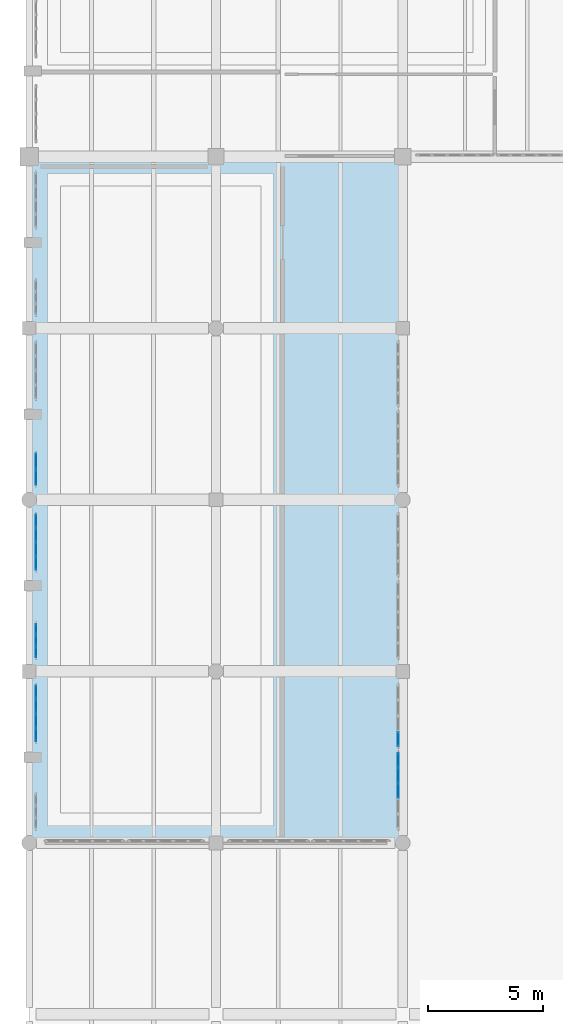
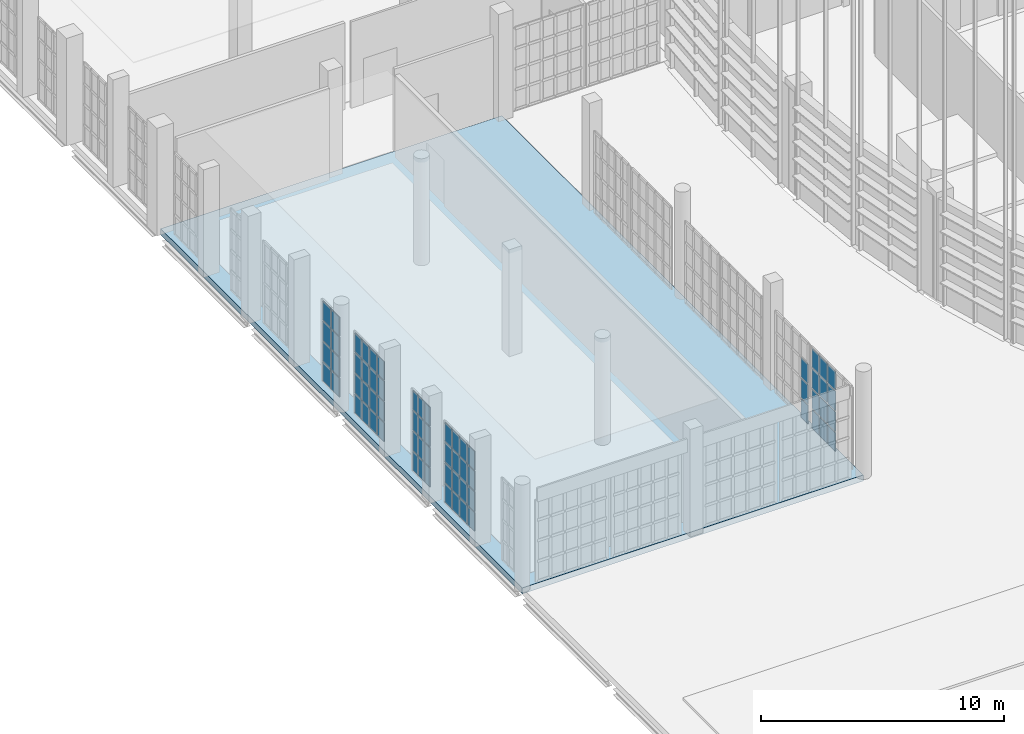
# One storey, part 322 of 372: 67 plates, 1 slab, 6 elements without a shape of their own.
"""IFC4 building model written with IfcOpenShell, lengths in metres."""

from ifc_helpers import new_model, si_unit, direction, frame, origin, origin_2d, place, context, subcontext, project, spatial, polyline, rectangle, outline, extrude, material, layer, layer_set, type_object, element, aggregate, save


model = new_model("IFC4")

# Units and contexts
model_context = context("Model", 3, precision=1e-05, world=origin(), true_north=direction((0.0, 1.0)))
body_context = subcontext(model_context, "Body", "Model", "MODEL_VIEW")
ifc_project = project(units=[si_unit("LENGTHUNIT", "METRE"), si_unit("AREAUNIT", "SQUARE_METRE"), si_unit("VOLUMEUNIT", "CUBIC_METRE"), si_unit("PLANEANGLEUNIT", "RADIAN"), si_unit("MASSUNIT", "GRAM", prefix="KILO")], contexts=[model_context])

# Site, building, storey
site_placement = place(None, origin())
site = spatial("IfcSite", under=ifc_project, at=site_placement, CompositionType="ELEMENT")
building_placement = place(site_placement, origin())
building = spatial("IfcBuilding", under=site, at=building_placement, Name="Kaelora Sail Theatre", CompositionType="ELEMENT")
storey_placement = place(building_placement, origin())
storey = spatial("IfcBuildingStorey", under=building, at=storey_placement, Name="L00", CompositionType="ELEMENT", Elevation=0.0)

# Curtain wall, plates
ifc_material_1 = material(Name="Anodised aluminium and solar-control low-E IGU", Category="aluminium")
curtain_wall_type_1 = type_object("IfcCurtainWallType", Name="ARC-CW-CW-FOY1", PredefinedType="NOTDEFINED", material=ifc_material_1)
curtain_wall_1_placement = place(storey_placement, origin())
curtain_wall_1 = element("IfcCurtainWall", 1, at=curtain_wall_1_placement, inside=storey, type_object=curtain_wall_type_1, Name="Glazed Colonnade/Courtyard Curtain Wall COLW-W-L00-03", PredefinedType="NOTDEFINED")
ifc_material_2 = material(Name="Solar-control laminated low-E glass", Category="glass")
ifc_layer_1 = layer(ifc_material_2, 0.031982421875)
ifc_layer_set_1 = layer_set([ifc_layer_1], Name="Solar-control laminated low-E glass")
plate_type = type_object("IfcPlateType", Name="ARC-CW-PNL", PredefinedType="CURTAIN_PANEL", material=ifc_layer_set_1)
plate_1_placement = place(storey_placement, frame((1.7900390625, 35.945556640625, 0.070068359375), z_axis=(0.0, 0.0, 1.0), x_axis=(0.0, 1.0, 0.0)))
plate_1 = element("IfcPlate", 2, at=plate_1_placement, type_object=plate_type, Name="CW-FOY1 panel 1.1", PredefinedType="CURTAIN_PANEL", context=body_context, shape_type="SweptSolid", body=[
    extrude(rectangle(XDim=0.541259765625, YDim=0.031982421875, at=origin_2d()), origin(), (0.0, 0.0, 1.0), 0.92919921875),
])
plate_2_placement = place(storey_placement, frame((1.7900390625, 35.945556640625, 1.069091796875), z_axis=(0.0, 0.0, 1.0), x_axis=(0.0, 1.0, 0.0)))
plate_2 = element("IfcPlate", 3, at=plate_2_placement, type_object=plate_type, Name="CW-FOY1 panel 1.2", PredefinedType="CURTAIN_PANEL", context=body_context, shape_type="SweptSolid", body=[
    extrude(rectangle(XDim=0.541259765625, YDim=0.031982421875, at=origin_2d()), origin(), (0.0, 0.0, 1.0), 0.96435546875),
])
plate_3_placement = place(storey_placement, frame((1.7900390625, 35.945556640625, 2.103515625), z_axis=(0.0, 0.0, 1.0), x_axis=(0.0, 1.0, 0.0)))
plate_3 = element("IfcPlate", 4, at=plate_3_placement, type_object=plate_type, Name="CW-FOY1 panel 1.3", PredefinedType="CURTAIN_PANEL", context=body_context, shape_type="SweptSolid", body=[
    extrude(rectangle(XDim=0.541259765625, YDim=0.031982421875, at=origin_2d()), origin(), (0.0, 0.0, 1.0), 0.964111328125),
])
plate_4_placement = place(storey_placement, frame((1.7900390625, 35.945556640625, 3.1376953125), z_axis=(0.0, 0.0, 1.0), x_axis=(0.0, 1.0, 0.0)))
plate_4 = element("IfcPlate", 5, at=plate_4_placement, type_object=plate_type, Name="CW-FOY1 panel 1.4", PredefinedType="CURTAIN_PANEL", context=body_context, shape_type="SweptSolid", body=[
    extrude(rectangle(XDim=0.541259765625, YDim=0.031982421875, at=origin_2d()), origin(), (0.0, 0.0, 1.0), 0.92919921875),
])
plate_5_placement = place(storey_placement, frame((1.7900390625, 36.561767578125, 0.070068359375), z_axis=(0.0, 0.0, 1.0), x_axis=(0.0, 1.0, 0.0)))
plate_5 = element("IfcPlate", 6, at=plate_5_placement, type_object=plate_type, Name="CW-FOY1 panel 2.1", PredefinedType="CURTAIN_PANEL", context=body_context, shape_type="SweptSolid", body=[
    extrude(rectangle(XDim=0.5712890625, YDim=0.031982421875, at=origin_2d()), origin(), (0.0, 0.0, 1.0), 0.92919921875),
])
plate_6_placement = place(storey_placement, frame((1.7900390625, 36.561767578125, 1.069091796875), z_axis=(0.0, 0.0, 1.0), x_axis=(0.0, 1.0, 0.0)))
plate_6 = element("IfcPlate", 7, at=plate_6_placement, type_object=plate_type, Name="CW-FOY1 panel 2.2", PredefinedType="CURTAIN_PANEL", context=body_context, shape_type="SweptSolid", body=[
    extrude(rectangle(XDim=0.5712890625, YDim=0.031982421875, at=origin_2d()), origin(), (0.0, 0.0, 1.0), 0.96435546875),
])
plate_7_placement = place(storey_placement, frame((1.7900390625, 36.561767578125, 2.103515625), z_axis=(0.0, 0.0, 1.0), x_axis=(0.0, 1.0, 0.0)))
plate_7 = element("IfcPlate", 8, at=plate_7_placement, type_object=plate_type, Name="CW-FOY1 panel 2.3", PredefinedType="CURTAIN_PANEL", context=body_context, shape_type="SweptSolid", body=[
    extrude(rectangle(XDim=0.5712890625, YDim=0.031982421875, at=origin_2d()), origin(), (0.0, 0.0, 1.0), 0.964111328125),
])
plate_8_placement = place(storey_placement, frame((1.7900390625, 36.561767578125, 3.1376953125), z_axis=(0.0, 0.0, 1.0), x_axis=(0.0, 1.0, 0.0)))
plate_8 = element("IfcPlate", 9, at=plate_8_placement, type_object=plate_type, Name="CW-FOY1 panel 2.4", PredefinedType="CURTAIN_PANEL", context=body_context, shape_type="SweptSolid", body=[
    extrude(rectangle(XDim=0.5712890625, YDim=0.031982421875, at=origin_2d()), origin(), (0.0, 0.0, 1.0), 0.92919921875),
])
plate_9_placement = place(storey_placement, frame((1.7900390625, 37.193115234375, 0.070068359375), z_axis=(0.0, 0.0, 1.0), x_axis=(0.0, 1.0, 0.0)))
plate_9 = element("IfcPlate", 10, at=plate_9_placement, type_object=plate_type, Name="CW-FOY1 panel 3.1", PredefinedType="CURTAIN_PANEL", context=body_context, shape_type="SweptSolid", body=[
    extrude(rectangle(XDim=0.5712890625, YDim=0.031982421875, at=origin_2d()), origin(), (0.0, 0.0, 1.0), 0.92919921875),
])
plate_10_placement = place(storey_placement, frame((1.7900390625, 37.193115234375, 1.069091796875), z_axis=(0.0, 0.0, 1.0), x_axis=(0.0, 1.0, 0.0)))
plate_10 = element("IfcPlate", 11, at=plate_10_placement, type_object=plate_type, Name="CW-FOY1 panel 3.2", PredefinedType="CURTAIN_PANEL", context=body_context, shape_type="SweptSolid", body=[
    extrude(rectangle(XDim=0.5712890625, YDim=0.031982421875, at=origin_2d()), origin(), (0.0, 0.0, 1.0), 0.96435546875),
])
plate_11_placement = place(storey_placement, frame((1.7900390625, 37.193115234375, 2.103515625), z_axis=(0.0, 0.0, 1.0), x_axis=(0.0, 1.0, 0.0)))
plate_11 = element("IfcPlate", 12, at=plate_11_placement, type_object=plate_type, Name="CW-FOY1 panel 3.3", PredefinedType="CURTAIN_PANEL", context=body_context, shape_type="SweptSolid", body=[
    extrude(rectangle(XDim=0.5712890625, YDim=0.031982421875, at=origin_2d()), origin(), (0.0, 0.0, 1.0), 0.964111328125),
])
plate_12_placement = place(storey_placement, frame((1.7900390625, 37.193115234375, 3.1376953125), z_axis=(0.0, 0.0, 1.0), x_axis=(0.0, 1.0, 0.0)))
plate_12 = element("IfcPlate", 13, at=plate_12_placement, type_object=plate_type, Name="CW-FOY1 panel 3.4", PredefinedType="CURTAIN_PANEL", context=body_context, shape_type="SweptSolid", body=[
    extrude(rectangle(XDim=0.5712890625, YDim=0.031982421875, at=origin_2d()), origin(), (0.0, 0.0, 1.0), 0.92919921875),
])
plate_13_placement = place(storey_placement, frame((1.7900390625, 37.809326171875, 0.070068359375), z_axis=(0.0, 0.0, 1.0), x_axis=(0.0, 1.0, 0.0)))
plate_13 = element("IfcPlate", 14, at=plate_13_placement, type_object=plate_type, Name="CW-FOY1 panel 4.1", PredefinedType="CURTAIN_PANEL", context=body_context, shape_type="SweptSolid", body=[
    extrude(rectangle(XDim=0.541259765625, YDim=0.031982421875, at=origin_2d()), origin(), (0.0, 0.0, 1.0), 0.92919921875),
])
plate_14_placement = place(storey_placement, frame((1.7900390625, 37.809326171875, 1.069091796875), z_axis=(0.0, 0.0, 1.0), x_axis=(0.0, 1.0, 0.0)))
plate_14 = element("IfcPlate", 15, at=plate_14_placement, type_object=plate_type, Name="CW-FOY1 panel 4.2", PredefinedType="CURTAIN_PANEL", context=body_context, shape_type="SweptSolid", body=[
    extrude(rectangle(XDim=0.541259765625, YDim=0.031982421875, at=origin_2d()), origin(), (0.0, 0.0, 1.0), 0.96435546875),
])
plate_15_placement = place(storey_placement, frame((1.7900390625, 37.809326171875, 2.103515625), z_axis=(0.0, 0.0, 1.0), x_axis=(0.0, 1.0, 0.0)))
plate_15 = element("IfcPlate", 16, at=plate_15_placement, type_object=plate_type, Name="CW-FOY1 panel 4.3", PredefinedType="CURTAIN_PANEL", context=body_context, shape_type="SweptSolid", body=[
    extrude(rectangle(XDim=0.541259765625, YDim=0.031982421875, at=origin_2d()), origin(), (0.0, 0.0, 1.0), 0.964111328125),
])
plate_16_placement = place(storey_placement, frame((1.7900390625, 37.809326171875, 3.1376953125), z_axis=(0.0, 0.0, 1.0), x_axis=(0.0, 1.0, 0.0)))
plate_16 = element("IfcPlate", 17, at=plate_16_placement, type_object=plate_type, Name="CW-FOY1 panel 4.4", PredefinedType="CURTAIN_PANEL", context=body_context, shape_type="SweptSolid", body=[
    extrude(rectangle(XDim=0.541259765625, YDim=0.031982421875, at=origin_2d()), origin(), (0.0, 0.0, 1.0), 0.92919921875),
])
aggregate(curtain_wall_1, [plate_1, plate_2, plate_3, plate_4, plate_5, plate_6, plate_7, plate_8, plate_9, plate_10, plate_11, plate_12, plate_13, plate_14, plate_15, plate_16])

curtain_wall_2_placement = place(storey_placement, origin())
curtain_wall_2 = element("IfcCurtainWall", 18, at=curtain_wall_2_placement, inside=storey, type_object=curtain_wall_type_1, Name="Glazed Colonnade/Courtyard Curtain Wall COLW-W-L00-04", PredefinedType="NOTDEFINED")
plate_17_placement = place(storey_placement, frame((1.7900390625, 39.53173828125, 0.070068359375), z_axis=(0.0, 0.0, 1.0), x_axis=(0.0, 1.0, 0.0)))
plate_17 = element("IfcPlate", 19, at=plate_17_placement, type_object=plate_type, Name="CW-FOY1 panel 1.1", PredefinedType="CURTAIN_PANEL", context=body_context, shape_type="SweptSolid", body=[
    extrude(rectangle(XDim=0.42333984375, YDim=0.031982421875, at=origin_2d()), origin(), (0.0, 0.0, 1.0), 0.92919921875),
])
plate_18_placement = place(storey_placement, frame((1.7900390625, 39.53173828125, 1.069091796875), z_axis=(0.0, 0.0, 1.0), x_axis=(0.0, 1.0, 0.0)))
plate_18 = element("IfcPlate", 20, at=plate_18_placement, type_object=plate_type, Name="CW-FOY1 panel 1.2", PredefinedType="CURTAIN_PANEL", context=body_context, shape_type="SweptSolid", body=[
    extrude(rectangle(XDim=0.42333984375, YDim=0.031982421875, at=origin_2d()), origin(), (0.0, 0.0, 1.0), 0.96435546875),
])
plate_19_placement = place(storey_placement, frame((1.7900390625, 39.53173828125, 2.103515625), z_axis=(0.0, 0.0, 1.0), x_axis=(0.0, 1.0, 0.0)))
plate_19 = element("IfcPlate", 21, at=plate_19_placement, type_object=plate_type, Name="CW-FOY1 panel 1.3", PredefinedType="CURTAIN_PANEL", context=body_context, shape_type="SweptSolid", body=[
    extrude(rectangle(XDim=0.42333984375, YDim=0.031982421875, at=origin_2d()), origin(), (0.0, 0.0, 1.0), 0.964111328125),
])
plate_20_placement = place(storey_placement, frame((1.7900390625, 39.53173828125, 3.1376953125), z_axis=(0.0, 0.0, 1.0), x_axis=(0.0, 1.0, 0.0)))
plate_20 = element("IfcPlate", 22, at=plate_20_placement, type_object=plate_type, Name="CW-FOY1 panel 1.4", PredefinedType="CURTAIN_PANEL", context=body_context, shape_type="SweptSolid", body=[
    extrude(rectangle(XDim=0.42333984375, YDim=0.031982421875, at=origin_2d()), origin(), (0.0, 0.0, 1.0), 0.92919921875),
])
plate_21_placement = place(storey_placement, frame((1.7900390625, 40.030029296875, 0.070068359375), z_axis=(0.0, 0.0, 1.0), x_axis=(0.0, 1.0, 0.0)))
plate_21 = element("IfcPlate", 23, at=plate_21_placement, type_object=plate_type, Name="CW-FOY1 panel 2.1", PredefinedType="CURTAIN_PANEL", context=body_context, shape_type="SweptSolid", body=[
    extrude(rectangle(XDim=0.453369140625, YDim=0.031982421875, at=origin_2d()), origin(), (0.0, 0.0, 1.0), 0.92919921875),
])
plate_22_placement = place(storey_placement, frame((1.7900390625, 40.030029296875, 1.069091796875), z_axis=(0.0, 0.0, 1.0), x_axis=(0.0, 1.0, 0.0)))
plate_22 = element("IfcPlate", 24, at=plate_22_placement, type_object=plate_type, Name="CW-FOY1 panel 2.2", PredefinedType="CURTAIN_PANEL", context=body_context, shape_type="SweptSolid", body=[
    extrude(rectangle(XDim=0.453369140625, YDim=0.031982421875, at=origin_2d()), origin(), (0.0, 0.0, 1.0), 0.96435546875),
])
plate_23_placement = place(storey_placement, frame((1.7900390625, 40.030029296875, 2.103515625), z_axis=(0.0, 0.0, 1.0), x_axis=(0.0, 1.0, 0.0)))
plate_23 = element("IfcPlate", 25, at=plate_23_placement, type_object=plate_type, Name="CW-FOY1 panel 2.3", PredefinedType="CURTAIN_PANEL", context=body_context, shape_type="SweptSolid", body=[
    extrude(rectangle(XDim=0.453369140625, YDim=0.031982421875, at=origin_2d()), origin(), (0.0, 0.0, 1.0), 0.964111328125),
])
plate_24_placement = place(storey_placement, frame((1.7900390625, 40.030029296875, 3.1376953125), z_axis=(0.0, 0.0, 1.0), x_axis=(0.0, 1.0, 0.0)))
plate_24 = element("IfcPlate", 26, at=plate_24_placement, type_object=plate_type, Name="CW-FOY1 panel 2.4", PredefinedType="CURTAIN_PANEL", context=body_context, shape_type="SweptSolid", body=[
    extrude(rectangle(XDim=0.453369140625, YDim=0.031982421875, at=origin_2d()), origin(), (0.0, 0.0, 1.0), 0.92919921875),
])
plate_25_placement = place(storey_placement, frame((1.7900390625, 40.5283203125, 0.070068359375), z_axis=(0.0, 0.0, 1.0), x_axis=(0.0, 1.0, 0.0)))
plate_25 = element("IfcPlate", 27, at=plate_25_placement, type_object=plate_type, Name="CW-FOY1 panel 3.1", PredefinedType="CURTAIN_PANEL", context=body_context, shape_type="SweptSolid", body=[
    extrude(rectangle(XDim=0.42333984375, YDim=0.031982421875, at=origin_2d()), origin(), (0.0, 0.0, 1.0), 0.92919921875),
])
plate_26_placement = place(storey_placement, frame((1.7900390625, 40.5283203125, 1.069091796875), z_axis=(0.0, 0.0, 1.0), x_axis=(0.0, 1.0, 0.0)))
plate_26 = element("IfcPlate", 28, at=plate_26_placement, type_object=plate_type, Name="CW-FOY1 panel 3.2", PredefinedType="CURTAIN_PANEL", context=body_context, shape_type="SweptSolid", body=[
    extrude(rectangle(XDim=0.42333984375, YDim=0.031982421875, at=origin_2d()), origin(), (0.0, 0.0, 1.0), 0.96435546875),
])
plate_27_placement = place(storey_placement, frame((1.7900390625, 40.5283203125, 2.103515625), z_axis=(0.0, 0.0, 1.0), x_axis=(0.0, 1.0, 0.0)))
plate_27 = element("IfcPlate", 29, at=plate_27_placement, type_object=plate_type, Name="CW-FOY1 panel 3.3", PredefinedType="CURTAIN_PANEL", context=body_context, shape_type="SweptSolid", body=[
    extrude(rectangle(XDim=0.42333984375, YDim=0.031982421875, at=origin_2d()), origin(), (0.0, 0.0, 1.0), 0.964111328125),
])
plate_28_placement = place(storey_placement, frame((1.7900390625, 40.5283203125, 3.1376953125), z_axis=(0.0, 0.0, 1.0), x_axis=(0.0, 1.0, 0.0)))
plate_28 = element("IfcPlate", 30, at=plate_28_placement, type_object=plate_type, Name="CW-FOY1 panel 3.4", PredefinedType="CURTAIN_PANEL", context=body_context, shape_type="SweptSolid", body=[
    extrude(rectangle(XDim=0.42333984375, YDim=0.031982421875, at=origin_2d()), origin(), (0.0, 0.0, 1.0), 0.92919921875),
])
aggregate(curtain_wall_2, [plate_17, plate_18, plate_19, plate_20, plate_21, plate_22, plate_23, plate_24, plate_25, plate_26, plate_27, plate_28])

curtain_wall_3_placement = place(storey_placement, origin())
curtain_wall_3 = element("IfcCurtainWall", 31, at=curtain_wall_3_placement, inside=storey, type_object=curtain_wall_type_1, Name="Glazed Colonnade/Courtyard Curtain Wall COLW-W-L00-06", PredefinedType="NOTDEFINED")
plate_29_placement = place(storey_placement, frame((1.7900390625, 43.382568359375, 0.070068359375), z_axis=(0.0, 0.0, 1.0), x_axis=(0.0, 1.0, 0.0)))
plate_29 = element("IfcPlate", 32, at=plate_29_placement, type_object=plate_type, Name="CW-FOY1 panel 1.1", PredefinedType="CURTAIN_PANEL", context=body_context, shape_type="SweptSolid", body=[
    extrude(rectangle(XDim=0.534912109375, YDim=0.031982421875, at=origin_2d()), origin(), (0.0, 0.0, 1.0), 0.92919921875),
])
plate_30_placement = place(storey_placement, frame((1.7900390625, 43.382568359375, 1.069091796875), z_axis=(0.0, 0.0, 1.0), x_axis=(0.0, 1.0, 0.0)))
plate_30 = element("IfcPlate", 33, at=plate_30_placement, type_object=plate_type, Name="CW-FOY1 panel 1.2", PredefinedType="CURTAIN_PANEL", context=body_context, shape_type="SweptSolid", body=[
    extrude(rectangle(XDim=0.534912109375, YDim=0.031982421875, at=origin_2d()), origin(), (0.0, 0.0, 1.0), 0.96435546875),
])
plate_31_placement = place(storey_placement, frame((1.7900390625, 43.382568359375, 2.103515625), z_axis=(0.0, 0.0, 1.0), x_axis=(0.0, 1.0, 0.0)))
plate_31 = element("IfcPlate", 34, at=plate_31_placement, type_object=plate_type, Name="CW-FOY1 panel 1.3", PredefinedType="CURTAIN_PANEL", context=body_context, shape_type="SweptSolid", body=[
    extrude(rectangle(XDim=0.534912109375, YDim=0.031982421875, at=origin_2d()), origin(), (0.0, 0.0, 1.0), 0.964111328125),
])
plate_32_placement = place(storey_placement, frame((1.7900390625, 43.382568359375, 3.1376953125), z_axis=(0.0, 0.0, 1.0), x_axis=(0.0, 1.0, 0.0)))
plate_32 = element("IfcPlate", 35, at=plate_32_placement, type_object=plate_type, Name="CW-FOY1 panel 1.4", PredefinedType="CURTAIN_PANEL", context=body_context, shape_type="SweptSolid", body=[
    extrude(rectangle(XDim=0.534912109375, YDim=0.031982421875, at=origin_2d()), origin(), (0.0, 0.0, 1.0), 0.92919921875),
])
plate_33_placement = place(storey_placement, frame((1.7900390625, 43.992431640625, 0.070068359375), z_axis=(0.0, 0.0, 1.0), x_axis=(0.0, 1.0, 0.0)))
plate_33 = element("IfcPlate", 36, at=plate_33_placement, type_object=plate_type, Name="CW-FOY1 panel 2.1", PredefinedType="CURTAIN_PANEL", context=body_context, shape_type="SweptSolid", body=[
    extrude(rectangle(XDim=0.56494140625, YDim=0.031982421875, at=origin_2d()), origin(), (0.0, 0.0, 1.0), 0.92919921875),
])
plate_34_placement = place(storey_placement, frame((1.7900390625, 43.992431640625, 1.069091796875), z_axis=(0.0, 0.0, 1.0), x_axis=(0.0, 1.0, 0.0)))
plate_34 = element("IfcPlate", 37, at=plate_34_placement, type_object=plate_type, Name="CW-FOY1 panel 2.2", PredefinedType="CURTAIN_PANEL", context=body_context, shape_type="SweptSolid", body=[
    extrude(rectangle(XDim=0.56494140625, YDim=0.031982421875, at=origin_2d()), origin(), (0.0, 0.0, 1.0), 0.96435546875),
])
plate_35_placement = place(storey_placement, frame((1.7900390625, 43.992431640625, 2.103515625), z_axis=(0.0, 0.0, 1.0), x_axis=(0.0, 1.0, 0.0)))
plate_35 = element("IfcPlate", 38, at=plate_35_placement, type_object=plate_type, Name="CW-FOY1 panel 2.3", PredefinedType="CURTAIN_PANEL", context=body_context, shape_type="SweptSolid", body=[
    extrude(rectangle(XDim=0.56494140625, YDim=0.031982421875, at=origin_2d()), origin(), (0.0, 0.0, 1.0), 0.964111328125),
])
plate_36_placement = place(storey_placement, frame((1.7900390625, 43.992431640625, 3.1376953125), z_axis=(0.0, 0.0, 1.0), x_axis=(0.0, 1.0, 0.0)))
plate_36 = element("IfcPlate", 39, at=plate_36_placement, type_object=plate_type, Name="CW-FOY1 panel 2.4", PredefinedType="CURTAIN_PANEL", context=body_context, shape_type="SweptSolid", body=[
    extrude(rectangle(XDim=0.56494140625, YDim=0.031982421875, at=origin_2d()), origin(), (0.0, 0.0, 1.0), 0.92919921875),
])
plate_37_placement = place(storey_placement, frame((1.7900390625, 44.617431640625, 0.070068359375), z_axis=(0.0, 0.0, 1.0), x_axis=(0.0, 1.0, 0.0)))
plate_37 = element("IfcPlate", 40, at=plate_37_placement, type_object=plate_type, Name="CW-FOY1 panel 3.1", PredefinedType="CURTAIN_PANEL", context=body_context, shape_type="SweptSolid", body=[
    extrude(rectangle(XDim=0.56494140625, YDim=0.031982421875, at=origin_2d()), origin(), (0.0, 0.0, 1.0), 0.92919921875),
])
plate_38_placement = place(storey_placement, frame((1.7900390625, 44.617431640625, 1.069091796875), z_axis=(0.0, 0.0, 1.0), x_axis=(0.0, 1.0, 0.0)))
plate_38 = element("IfcPlate", 41, at=plate_38_placement, type_object=plate_type, Name="CW-FOY1 panel 3.2", PredefinedType="CURTAIN_PANEL", context=body_context, shape_type="SweptSolid", body=[
    extrude(rectangle(XDim=0.56494140625, YDim=0.031982421875, at=origin_2d()), origin(), (0.0, 0.0, 1.0), 0.96435546875),
])
plate_39_placement = place(storey_placement, frame((1.7900390625, 44.617431640625, 2.103515625), z_axis=(0.0, 0.0, 1.0), x_axis=(0.0, 1.0, 0.0)))
plate_39 = element("IfcPlate", 42, at=plate_39_placement, type_object=plate_type, Name="CW-FOY1 panel 3.3", PredefinedType="CURTAIN_PANEL", context=body_context, shape_type="SweptSolid", body=[
    extrude(rectangle(XDim=0.56494140625, YDim=0.031982421875, at=origin_2d()), origin(), (0.0, 0.0, 1.0), 0.964111328125),
])
plate_40_placement = place(storey_placement, frame((1.7900390625, 44.617431640625, 3.1376953125), z_axis=(0.0, 0.0, 1.0), x_axis=(0.0, 1.0, 0.0)))
plate_40 = element("IfcPlate", 43, at=plate_40_placement, type_object=plate_type, Name="CW-FOY1 panel 3.4", PredefinedType="CURTAIN_PANEL", context=body_context, shape_type="SweptSolid", body=[
    extrude(rectangle(XDim=0.56494140625, YDim=0.031982421875, at=origin_2d()), origin(), (0.0, 0.0, 1.0), 0.92919921875),
])
plate_41_placement = place(storey_placement, frame((1.7900390625, 45.2275390625, 0.070068359375), z_axis=(0.0, 0.0, 1.0), x_axis=(0.0, 1.0, 0.0)))
plate_41 = element("IfcPlate", 44, at=plate_41_placement, type_object=plate_type, Name="CW-FOY1 panel 4.1", PredefinedType="CURTAIN_PANEL", context=body_context, shape_type="SweptSolid", body=[
    extrude(rectangle(XDim=0.534912109375, YDim=0.031982421875, at=origin_2d()), origin(), (0.0, 0.0, 1.0), 0.92919921875),
])
plate_42_placement = place(storey_placement, frame((1.7900390625, 45.2275390625, 1.069091796875), z_axis=(0.0, 0.0, 1.0), x_axis=(0.0, 1.0, 0.0)))
plate_42 = element("IfcPlate", 45, at=plate_42_placement, type_object=plate_type, Name="CW-FOY1 panel 4.2", PredefinedType="CURTAIN_PANEL", context=body_context, shape_type="SweptSolid", body=[
    extrude(rectangle(XDim=0.534912109375, YDim=0.031982421875, at=origin_2d()), origin(), (0.0, 0.0, 1.0), 0.96435546875),
])
plate_43_placement = place(storey_placement, frame((1.7900390625, 45.2275390625, 2.103515625), z_axis=(0.0, 0.0, 1.0), x_axis=(0.0, 1.0, 0.0)))
plate_43 = element("IfcPlate", 46, at=plate_43_placement, type_object=plate_type, Name="CW-FOY1 panel 4.3", PredefinedType="CURTAIN_PANEL", context=body_context, shape_type="SweptSolid", body=[
    extrude(rectangle(XDim=0.534912109375, YDim=0.031982421875, at=origin_2d()), origin(), (0.0, 0.0, 1.0), 0.964111328125),
])
plate_44_placement = place(storey_placement, frame((1.7900390625, 45.2275390625, 3.1376953125), z_axis=(0.0, 0.0, 1.0), x_axis=(0.0, 1.0, 0.0)))
plate_44 = element("IfcPlate", 47, at=plate_44_placement, type_object=plate_type, Name="CW-FOY1 panel 4.4", PredefinedType="CURTAIN_PANEL", context=body_context, shape_type="SweptSolid", body=[
    extrude(rectangle(XDim=0.534912109375, YDim=0.031982421875, at=origin_2d()), origin(), (0.0, 0.0, 1.0), 0.92919921875),
])
aggregate(curtain_wall_3, [plate_29, plate_30, plate_31, plate_32, plate_33, plate_34, plate_35, plate_36, plate_37, plate_38, plate_39, plate_40, plate_41, plate_42, plate_43, plate_44])

curtain_wall_4_placement = place(storey_placement, origin())
curtain_wall_4 = element("IfcCurtainWall", 48, at=curtain_wall_4_placement, inside=storey, type_object=curtain_wall_type_1, Name="Glazed Colonnade/Courtyard Curtain Wall COLW-W-L00-07", PredefinedType="NOTDEFINED")
plate_45_placement = place(storey_placement, frame((1.7900390625, 47.108642578125, 0.070068359375), z_axis=(0.0, 0.0, 1.0), x_axis=(0.0, 1.0, 0.0)))
plate_45 = element("IfcPlate", 49, at=plate_45_placement, type_object=plate_type, Name="CW-FOY1 panel 1.1", PredefinedType="CURTAIN_PANEL", context=body_context, shape_type="SweptSolid", body=[
    extrude(rectangle(XDim=0.6474609375, YDim=0.031982421875, at=origin_2d()), origin(), (0.0, 0.0, 1.0), 0.92919921875),
])
plate_46_placement = place(storey_placement, frame((1.7900390625, 47.108642578125, 1.069091796875), z_axis=(0.0, 0.0, 1.0), x_axis=(0.0, 1.0, 0.0)))
plate_46 = element("IfcPlate", 50, at=plate_46_placement, type_object=plate_type, Name="CW-FOY1 panel 1.2", PredefinedType="CURTAIN_PANEL", context=body_context, shape_type="SweptSolid", body=[
    extrude(rectangle(XDim=0.6474609375, YDim=0.031982421875, at=origin_2d()), origin(), (0.0, 0.0, 1.0), 0.96435546875),
])
plate_47_placement = place(storey_placement, frame((1.7900390625, 47.108642578125, 2.103515625), z_axis=(0.0, 0.0, 1.0), x_axis=(0.0, 1.0, 0.0)))
plate_47 = element("IfcPlate", 51, at=plate_47_placement, type_object=plate_type, Name="CW-FOY1 panel 1.3", PredefinedType="CURTAIN_PANEL", context=body_context, shape_type="SweptSolid", body=[
    extrude(rectangle(XDim=0.6474609375, YDim=0.031982421875, at=origin_2d()), origin(), (0.0, 0.0, 1.0), 0.964111328125),
])
plate_48_placement = place(storey_placement, frame((1.7900390625, 47.108642578125, 3.1376953125), z_axis=(0.0, 0.0, 1.0), x_axis=(0.0, 1.0, 0.0)))
plate_48 = element("IfcPlate", 52, at=plate_48_placement, type_object=plate_type, Name="CW-FOY1 panel 1.4", PredefinedType="CURTAIN_PANEL", context=body_context, shape_type="SweptSolid", body=[
    extrude(rectangle(XDim=0.6474609375, YDim=0.031982421875, at=origin_2d()), origin(), (0.0, 0.0, 1.0), 0.92919921875),
])
plate_49_placement = place(storey_placement, frame((1.7900390625, 47.816162109375, 0.070068359375), z_axis=(0.0, 0.0, 1.0), x_axis=(0.0, 1.0, 0.0)))
plate_49 = element("IfcPlate", 53, at=plate_49_placement, type_object=plate_type, Name="CW-FOY1 panel 2.1", PredefinedType="CURTAIN_PANEL", context=body_context, shape_type="SweptSolid", body=[
    extrude(rectangle(XDim=0.6474609375, YDim=0.031982421875, at=origin_2d()), origin(), (0.0, 0.0, 1.0), 0.92919921875),
])
plate_50_placement = place(storey_placement, frame((1.7900390625, 47.816162109375, 1.069091796875), z_axis=(0.0, 0.0, 1.0), x_axis=(0.0, 1.0, 0.0)))
plate_50 = element("IfcPlate", 54, at=plate_50_placement, type_object=plate_type, Name="CW-FOY1 panel 2.2", PredefinedType="CURTAIN_PANEL", context=body_context, shape_type="SweptSolid", body=[
    extrude(rectangle(XDim=0.6474609375, YDim=0.031982421875, at=origin_2d()), origin(), (0.0, 0.0, 1.0), 0.96435546875),
])
plate_51_placement = place(storey_placement, frame((1.7900390625, 47.816162109375, 2.103515625), z_axis=(0.0, 0.0, 1.0), x_axis=(0.0, 1.0, 0.0)))
plate_51 = element("IfcPlate", 55, at=plate_51_placement, type_object=plate_type, Name="CW-FOY1 panel 2.3", PredefinedType="CURTAIN_PANEL", context=body_context, shape_type="SweptSolid", body=[
    extrude(rectangle(XDim=0.6474609375, YDim=0.031982421875, at=origin_2d()), origin(), (0.0, 0.0, 1.0), 0.964111328125),
])
plate_52_placement = place(storey_placement, frame((1.7900390625, 47.816162109375, 3.1376953125), z_axis=(0.0, 0.0, 1.0), x_axis=(0.0, 1.0, 0.0)))
plate_52 = element("IfcPlate", 56, at=plate_52_placement, type_object=plate_type, Name="CW-FOY1 panel 2.4", PredefinedType="CURTAIN_PANEL", context=body_context, shape_type="SweptSolid", body=[
    extrude(rectangle(XDim=0.6474609375, YDim=0.031982421875, at=origin_2d()), origin(), (0.0, 0.0, 1.0), 0.92919921875),
])
aggregate(curtain_wall_4, [plate_45, plate_46, plate_47, plate_48, plate_49, plate_50, plate_51, plate_52])

ifc_material_3 = material(Name="Anodised aluminium and solar-control low-E IGU", Category="aluminium")
curtain_wall_type_2 = type_object("IfcCurtainWallType", Name="ARC-CW-CW-FOY2", PredefinedType="NOTDEFINED", material=ifc_material_3)
curtain_wall_5_placement = place(storey_placement, origin())
curtain_wall_5 = element("IfcCurtainWall", 57, at=curtain_wall_5_placement, inside=storey, type_object=curtain_wall_type_2, Name="Glazed Colonnade/Courtyard Curtain Wall COLW-E-L00-01", PredefinedType="NOTDEFINED")
plate_53_placement = place(storey_placement, frame((17.510009765625, 33.5224609375, 0.070068359375), z_axis=(0.0, 0.0, 1.0), x_axis=(0.0, 1.0, 0.0)))
plate_53 = element("IfcPlate", 58, at=plate_53_placement, type_object=plate_type, Name="CW-FOY2 panel 3.1", PredefinedType="CURTAIN_PANEL", context=body_context, shape_type="SweptSolid", body=[
    extrude(rectangle(XDim=0.611083984375, YDim=0.031982421875, at=origin_2d()), origin(), (0.0, 0.0, 1.0), 0.92919921875),
])
plate_54_placement = place(storey_placement, frame((17.510009765625, 33.5224609375, 1.069091796875), z_axis=(0.0, 0.0, 1.0), x_axis=(0.0, 1.0, 0.0)))
plate_54 = element("IfcPlate", 59, at=plate_54_placement, type_object=plate_type, Name="CW-FOY2 panel 3.2", PredefinedType="CURTAIN_PANEL", context=body_context, shape_type="SweptSolid", body=[
    extrude(rectangle(XDim=0.611083984375, YDim=0.031982421875, at=origin_2d()), origin(), (0.0, 0.0, 1.0), 0.96435546875),
])
plate_55_placement = place(storey_placement, frame((17.510009765625, 33.5224609375, 2.103515625), z_axis=(0.0, 0.0, 1.0), x_axis=(0.0, 1.0, 0.0)))
plate_55 = element("IfcPlate", 60, at=plate_55_placement, type_object=plate_type, Name="CW-FOY2 panel 3.3", PredefinedType="CURTAIN_PANEL", context=body_context, shape_type="SweptSolid", body=[
    extrude(rectangle(XDim=0.611083984375, YDim=0.031982421875, at=origin_2d()), origin(), (0.0, 0.0, 1.0), 0.964111328125),
])
plate_56_placement = place(storey_placement, frame((17.510009765625, 33.5224609375, 3.1376953125), z_axis=(0.0, 0.0, 1.0), x_axis=(0.0, 1.0, 0.0)))
plate_56 = element("IfcPlate", 61, at=plate_56_placement, type_object=plate_type, Name="CW-FOY2 panel 3.4", PredefinedType="CURTAIN_PANEL", context=body_context, shape_type="SweptSolid", body=[
    extrude(rectangle(XDim=0.611083984375, YDim=0.031982421875, at=origin_2d()), origin(), (0.0, 0.0, 1.0), 0.92919921875),
])
plate_57_placement = place(storey_placement, frame((17.510009765625, 34.193603515625, 0.070068359375), z_axis=(0.0, 0.0, 1.0), x_axis=(0.0, 1.0, 0.0)))
plate_57 = element("IfcPlate", 62, at=plate_57_placement, type_object=plate_type, Name="CW-FOY2 panel 4.1", PredefinedType="CURTAIN_PANEL", context=body_context, shape_type="SweptSolid", body=[
    extrude(rectangle(XDim=0.611083984375, YDim=0.031982421875, at=origin_2d()), origin(), (0.0, 0.0, 1.0), 0.92919921875),
])
plate_58_placement = place(storey_placement, frame((17.510009765625, 34.193603515625, 1.069091796875), z_axis=(0.0, 0.0, 1.0), x_axis=(0.0, 1.0, 0.0)))
plate_58 = element("IfcPlate", 63, at=plate_58_placement, type_object=plate_type, Name="CW-FOY2 panel 4.2", PredefinedType="CURTAIN_PANEL", context=body_context, shape_type="SweptSolid", body=[
    extrude(rectangle(XDim=0.611083984375, YDim=0.031982421875, at=origin_2d()), origin(), (0.0, 0.0, 1.0), 0.96435546875),
])
plate_59_placement = place(storey_placement, frame((17.510009765625, 34.193603515625, 2.103515625), z_axis=(0.0, 0.0, 1.0), x_axis=(0.0, 1.0, 0.0)))
plate_59 = element("IfcPlate", 64, at=plate_59_placement, type_object=plate_type, Name="CW-FOY2 panel 4.3", PredefinedType="CURTAIN_PANEL", context=body_context, shape_type="SweptSolid", body=[
    extrude(rectangle(XDim=0.611083984375, YDim=0.031982421875, at=origin_2d()), origin(), (0.0, 0.0, 1.0), 0.964111328125),
])
plate_60_placement = place(storey_placement, frame((17.510009765625, 34.193603515625, 3.1376953125), z_axis=(0.0, 0.0, 1.0), x_axis=(0.0, 1.0, 0.0)))
plate_60 = element("IfcPlate", 65, at=plate_60_placement, type_object=plate_type, Name="CW-FOY2 panel 4.4", PredefinedType="CURTAIN_PANEL", context=body_context, shape_type="SweptSolid", body=[
    extrude(rectangle(XDim=0.611083984375, YDim=0.031982421875, at=origin_2d()), origin(), (0.0, 0.0, 1.0), 0.92919921875),
])
plate_61_placement = place(storey_placement, frame((17.510009765625, 34.849609375, 0.070068359375), z_axis=(0.0, 0.0, 1.0), x_axis=(0.0, 1.0, 0.0)))
plate_61 = element("IfcPlate", 66, at=plate_61_placement, type_object=plate_type, Name="CW-FOY2 panel 5.1", PredefinedType="CURTAIN_PANEL", context=body_context, shape_type="SweptSolid", body=[
    extrude(rectangle(XDim=0.5810546875, YDim=0.031982421875, at=origin_2d()), origin(), (0.0, 0.0, 1.0), 0.92919921875),
])
plate_62_placement = place(storey_placement, frame((17.510009765625, 34.849609375, 1.069091796875), z_axis=(0.0, 0.0, 1.0), x_axis=(0.0, 1.0, 0.0)))
plate_62 = element("IfcPlate", 67, at=plate_62_placement, type_object=plate_type, Name="CW-FOY2 panel 5.2", PredefinedType="CURTAIN_PANEL", context=body_context, shape_type="SweptSolid", body=[
    extrude(rectangle(XDim=0.5810546875, YDim=0.031982421875, at=origin_2d()), origin(), (0.0, 0.0, 1.0), 0.96435546875),
])
plate_63_placement = place(storey_placement, frame((17.510009765625, 34.849609375, 2.103515625), z_axis=(0.0, 0.0, 1.0), x_axis=(0.0, 1.0, 0.0)))
plate_63 = element("IfcPlate", 68, at=plate_63_placement, type_object=plate_type, Name="CW-FOY2 panel 5.3", PredefinedType="CURTAIN_PANEL", context=body_context, shape_type="SweptSolid", body=[
    extrude(rectangle(XDim=0.5810546875, YDim=0.031982421875, at=origin_2d()), origin(), (0.0, 0.0, 1.0), 0.964111328125),
])
plate_64_placement = place(storey_placement, frame((17.510009765625, 34.849609375, 3.1376953125), z_axis=(0.0, 0.0, 1.0), x_axis=(0.0, 1.0, 0.0)))
plate_64 = element("IfcPlate", 69, at=plate_64_placement, type_object=plate_type, Name="CW-FOY2 panel 5.4", PredefinedType="CURTAIN_PANEL", context=body_context, shape_type="SweptSolid", body=[
    extrude(rectangle(XDim=0.5810546875, YDim=0.031982421875, at=origin_2d()), origin(), (0.0, 0.0, 1.0), 0.92919921875),
])
aggregate(curtain_wall_5, [plate_53, plate_54, plate_55, plate_56, plate_57, plate_58, plate_59, plate_60, plate_61, plate_62, plate_63, plate_64])

curtain_wall_6_placement = place(storey_placement, origin())
curtain_wall_6 = element("IfcCurtainWall", 70, at=curtain_wall_6_placement, inside=storey, type_object=curtain_wall_type_2, Name="Glazed Colonnade/Courtyard Curtain Wall COLW-E-L00-02", PredefinedType="NOTDEFINED")
plate_65_placement = place(storey_placement, frame((17.510009765625, 35.757568359375, 0.070068359375), z_axis=(0.0, 0.0, 1.0), x_axis=(0.0, 1.0, 0.0)))
plate_65 = element("IfcPlate", 71, at=plate_65_placement, type_object=plate_type, Name="CW-FOY2 panel 1.1", PredefinedType="CURTAIN_PANEL", context=body_context, shape_type="SweptSolid", body=[
    extrude(rectangle(XDim=0.594970703125, YDim=0.031982421875, at=origin_2d()), origin(), (0.0, 0.0, 1.0), 0.92919921875),
])
plate_66_placement = place(storey_placement, frame((17.510009765625, 35.757568359375, 1.069091796875), z_axis=(0.0, 0.0, 1.0), x_axis=(0.0, 1.0, 0.0)))
plate_66 = element("IfcPlate", 72, at=plate_66_placement, type_object=plate_type, Name="CW-FOY2 panel 1.2", PredefinedType="CURTAIN_PANEL", context=body_context, shape_type="SweptSolid", body=[
    extrude(rectangle(XDim=0.594970703125, YDim=0.031982421875, at=origin_2d()), origin(), (0.0, 0.0, 1.0), 0.96435546875),
])
plate_67_placement = place(storey_placement, frame((17.510009765625, 35.757568359375, 2.103515625), z_axis=(0.0, 0.0, 1.0), x_axis=(0.0, 1.0, 0.0)))
plate_67 = element("IfcPlate", 73, at=plate_67_placement, type_object=plate_type, Name="CW-FOY2 panel 1.3", PredefinedType="CURTAIN_PANEL", context=body_context, shape_type="SweptSolid", body=[
    extrude(rectangle(XDim=0.594970703125, YDim=0.031982421875, at=origin_2d()), origin(), (0.0, 0.0, 1.0), 0.964111328125),
])
aggregate(curtain_wall_6, [plate_65, plate_66, plate_67])

# Slab
ifc_material_4 = material(Name="Concrete C40/50", Category="concrete")
ifc_layer_2 = layer(ifc_material_4, 0.300048828125)
ifc_layer_set_2 = layer_set([ifc_layer_2], Name="Concrete C40/50")
slab_type = type_object("IfcSlabType", Name="STR-SLB-SL-FL300", PredefinedType="FLOOR", material=ifc_layer_set_2)
slab_placement = place(storey_placement, frame((0.0, 0.0, -0.300048828125)))
element("IfcSlab", 74, at=slab_placement, inside=storey, type_object=slab_type, Name="West Postmodern Colonnade & Box-Office Loggia floor slab (L00)", PredefinedType="FLOOR", context=body_context, shape_type="SweptSolid", body=[
    extrude(outline(polyline([(1.5, 31.260009765625), (1.5, 61.0048828125), (17.699951171875, 61.0048828125), (17.699951171875, 31.260009765625), (1.5, 31.260009765625)])), origin(), (0.0, 0.0, 1.0), 0.300048828125),
])

save(model, "model.ifc")
